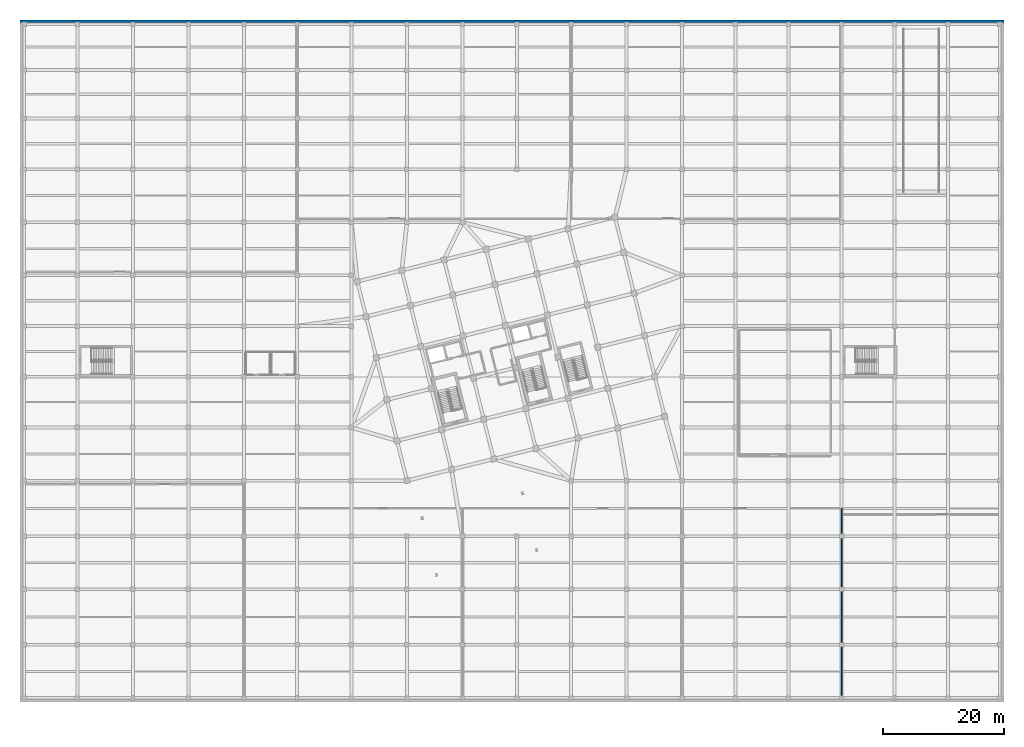
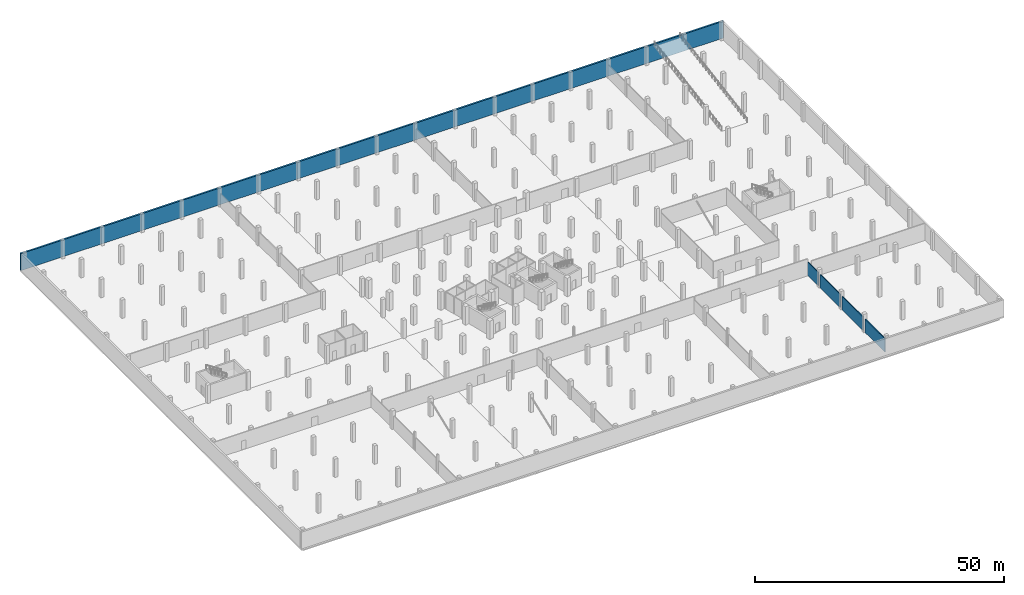
# One storey, part 25 of 31: 5 walls.
"""IFC4 building model written with IfcOpenShell, lengths in metres."""

from ifc_helpers import new_model, si_unit, direction, frame, frame_2d, origin, place, context, subcontext, project, spatial, rectangle, extrude, material, layer, layer_set, type_object, element, save


model = new_model("IFC4")

# Units and contexts
model_context = context("Model", 3, precision=1e-05, world=origin(), true_north=direction((0.0, 1.0)))
body_context = subcontext(model_context, "Body", "Model", "MODEL_VIEW")
ifc_project = project(units=[si_unit("LENGTHUNIT", "METRE"), si_unit("AREAUNIT", "SQUARE_METRE"), si_unit("VOLUMEUNIT", "CUBIC_METRE"), si_unit("PLANEANGLEUNIT", "RADIAN"), si_unit("MASSUNIT", "GRAM", prefix="KILO")], contexts=[model_context])

# Site, building, storey
site_placement = place(None, origin())
site = spatial("IfcSite", under=ifc_project, at=site_placement, CompositionType="ELEMENT")
building_placement = place(site_placement, origin())
building = spatial("IfcBuilding", under=site, at=building_placement, Name="Meriwether Solvik Hall", CompositionType="ELEMENT")
storey_placement = place(building_placement, frame((0.0, 0.0, -4.5)))
storey = spatial("IfcBuildingStorey", under=building, at=storey_placement, Name="B01", CompositionType="ELEMENT", Elevation=-4.5)

# Walls
ifc_material_1 = material(Name="Concrete C40/50", Category="concrete")
ifc_layer_1 = layer(ifc_material_1, 0.39990234375)
ifc_layer_set_1 = layer_set([ifc_layer_1], Name="Concrete C40/50")
wall_type_1 = type_object("IfcWallType", Name="WALL-BSMT-400", PredefinedType="STANDARD", material=ifc_layer_set_1)
wall_1_placement = place(storey_placement, frame((167.5, 117.300048828125, 0.0), z_axis=(0.0, 0.0, 1.0), x_axis=(-1.0, 0.0, 0.0)))
element("IfcWall", 1, at=wall_1_placement, inside=storey, type_object=wall_type_1, Name="B01 Perimeter Retaining Wall N", PredefinedType="STANDARD", context=body_context, shape_type="SweptSolid", body=[
    extrude(rectangle(XDim=163.0, YDim=0.39990234375, at=frame_2d((81.5, 0.0))), origin(), (0.0, 0.0, 1.0), 4.139892578125),
])
ifc_material_2 = material(Name="Fire-Rated Type X Gypsum Board", Category="gypsum")
ifc_layer_2 = layer(ifc_material_2, 0.199951171875)
ifc_layer_set_2 = layer_set([ifc_layer_2], Name="Fire-Rated Type X Gypsum Board")
wall_type_2 = type_object("IfcWallType", Name="WALL-FIRE-200", PredefinedType="STANDARD", material=ifc_layer_set_2)
wall_2_placement = place(storey_placement, frame((140.60009765625, 5.639892578125, 0.0), z_axis=(0.0, 0.0, 1.0), x_axis=(0.0, 1.0, 0.0)))
element("IfcWall", 2, at=wall_2_placement, inside=storey, type_object=wall_type_2, Name="B01 Interior Partition el_sub_e", PredefinedType="STANDARD", context=body_context, shape_type="SweptSolid", body=[
    extrude(rectangle(XDim=7.920166015625, YDim=0.199951171875, at=frame_2d((3.9599609375, 0.0))), origin(), (0.0, 0.0, 1.0), 3.2900390625),
])
wall_3_placement = place(storey_placement, frame((140.60009765625, 14.43994140625, 0.0), z_axis=(0.0, 0.0, 1.0), x_axis=(0.0, 1.0, 0.0)))
element("IfcWall", 3, at=wall_3_placement, inside=storey, type_object=wall_type_2, Name="B01 Interior Partition el_sub_e_s2", PredefinedType="STANDARD", context=body_context, shape_type="SweptSolid", body=[
    extrude(rectangle(XDim=8.320068359375, YDim=0.199951171875, at=frame_2d((4.16015625, 0.0))), origin(), (0.0, 0.0, 1.0), 3.2900390625),
])
wall_4_placement = place(storey_placement, frame((140.60009765625, 23.639892578125, 0.0), z_axis=(0.0, 0.0, 1.0), x_axis=(0.0, 1.0, 0.0)))
element("IfcWall", 4, at=wall_4_placement, inside=storey, type_object=wall_type_2, Name="B01 Interior Partition el_sub_e_s3", PredefinedType="STANDARD", context=body_context, shape_type="SweptSolid", body=[
    extrude(rectangle(XDim=7.920166015625, YDim=0.199951171875, at=frame_2d((3.9599609375, 0.0))), origin(), (0.0, 0.0, 1.0), 3.2900390625),
])
wall_5_placement = place(storey_placement, frame((140.60009765625, 32.43994140625, 0.0), z_axis=(0.0, 0.0, 1.0), x_axis=(0.0, 1.0, 0.0)))
element("IfcWall", 5, at=wall_5_placement, inside=storey, type_object=wall_type_2, Name="B01 Interior Partition el_sub_e_s4", PredefinedType="STANDARD", context=body_context, shape_type="SweptSolid", body=[
    extrude(rectangle(XDim=4.16015625, YDim=0.199951171875, at=frame_2d((2.080078125, 0.0))), origin(), (0.0, 0.0, 1.0), 3.2900390625),
])

save(model, "model.ifc")
